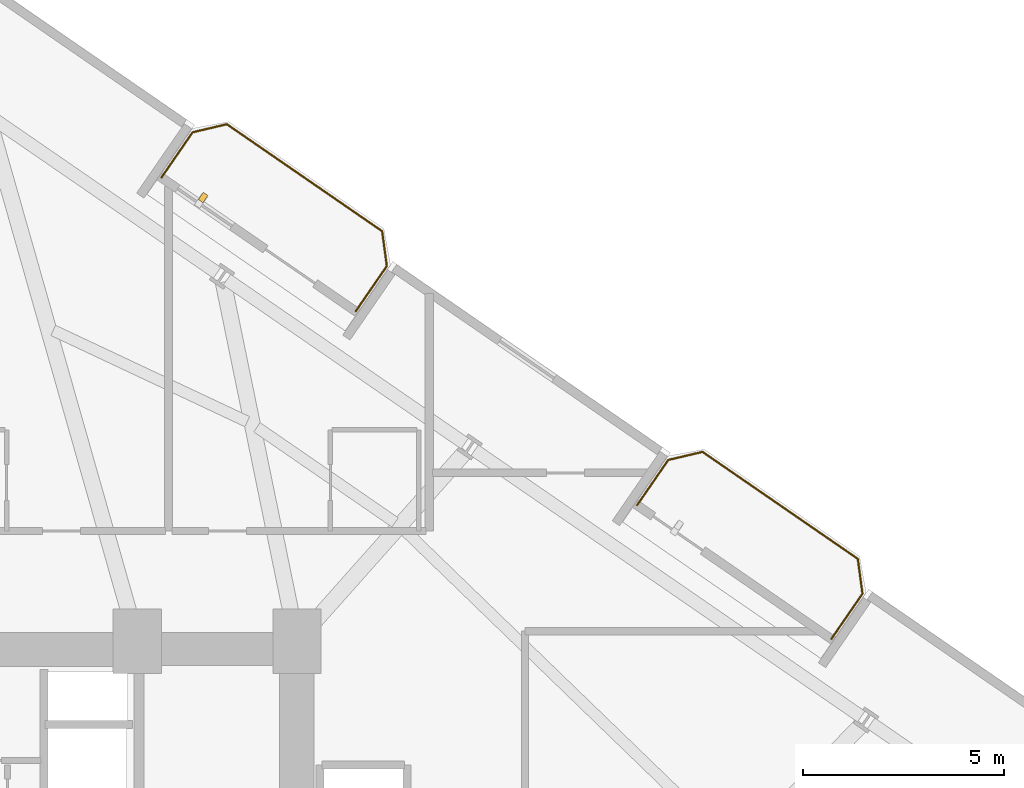
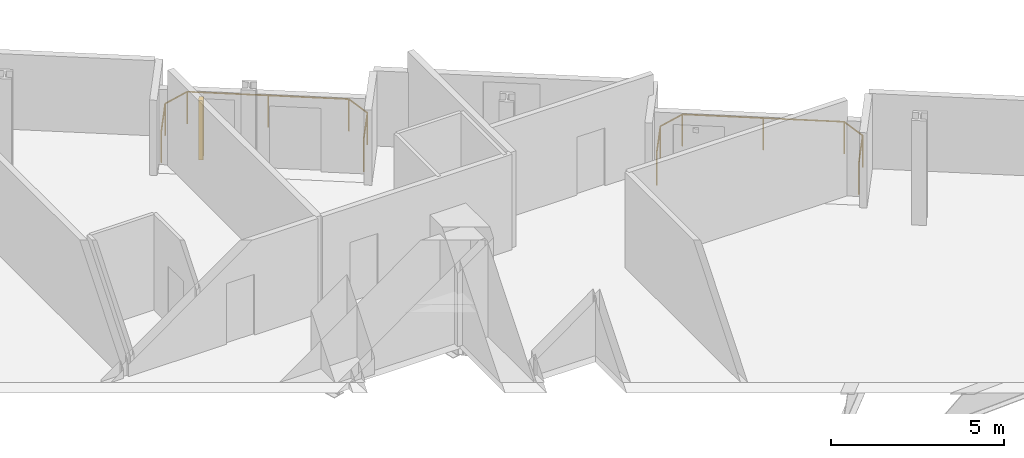
# One storey, part 24 of 24: 2 railings, 1 shading device.
"""IFC4 building model written with IfcOpenShell, lengths in metres."""

import ifcopenshell
import ifcopenshell.guid

model = None  # the IFC model being written
_history = None  # IfcOwnerHistory: only IFC2X3 demands one
_inside = {}  # id of a spatial element -> (the spatial element, [elements in it])
_under = {}  # id of a project, library or spatial element -> (it, [spatial elements below it])
_declared = {}  # id of a project -> (the project, [libraries it declares])
_typed = {}  # id of a type object -> (the type object, [elements of that type])
_made_of = {}  # id of a material, layer set ... -> (it, [elements and type objects made of it])


def new_model(schema):
    """Start an empty IFC model of exactly this schema.

    Asked for "IFC4X3", IfcOpenShell would pick the latest addendum, in which some entities
    have other attributes; the version numbers below select the first issue.
    IFC2X3 requires an IfcOwnerHistory on every rooted entity: one is made here for all.
    """
    global model, _history
    if schema == "IFC4X3":
        model = ifcopenshell.file(schema_version=(4, 3, 0, 0))
    else:
        model = ifcopenshell.file(schema=schema)
    _inside.clear()
    _under.clear()
    _declared.clear()
    _typed.clear()
    _made_of.clear()
    _history = None
    if model.schema == "IFC2X3":
        org = make("IfcOrganization", Name="unknown")
        user = make(
            "IfcPersonAndOrganization",
            ThePerson=make("IfcPerson", FamilyName="unknown"),
            TheOrganization=org,
        )
        app = make(
            "IfcApplication",
            ApplicationDeveloper=org,
            Version="unknown",
            ApplicationFullName="unknown",
            ApplicationIdentifier="unknown",
        )
        _history = make(
            "IfcOwnerHistory",
            OwningUser=user,
            OwningApplication=app,
            ChangeAction="ADDED",
            CreationDate=0,
        )
    return model


def make(cls, **values):
    """One entity of the class cls with the attributes given. An attribute that is None is left unset."""
    return model.create_entity(
        cls, **{name: value for name, value in values.items() if value is not None}
    )


def rooted(cls, **values):
    """An entity with a GlobalId (a new one), such as an element, a storey or a relation."""
    return make(cls, GlobalId=ifcopenshell.guid.new(), OwnerHistory=_history, **values)


def si_unit(unit_type, name, prefix=None):
    """IfcSIUnit, for example si_unit("LENGTHUNIT", "METRE", prefix="MILLI")."""
    return make("IfcSIUnit", UnitType=unit_type, Prefix=prefix, Name=name)


def assignment(units):
    """IfcUnitAssignment: the units of a project."""
    return None if units is None else make("IfcUnitAssignment", Units=units)


def point(xyz):
    """IfcCartesianPoint."""
    return None if xyz is None else make("IfcCartesianPoint", Coordinates=xyz)


def direction(xyz):
    """IfcDirection."""
    return None if xyz is None else make("IfcDirection", DirectionRatios=xyz)


def frame(location, z_axis=None, x_axis=None):
    """IfcAxis2Placement3D, a coordinate frame: its origin and axes. An axis left out is left unset."""
    return make(
        "IfcAxis2Placement3D",
        Location=point(location),
        Axis=direction(z_axis),
        RefDirection=direction(x_axis),
    )


def frame_2d(location, x_axis=None):
    """IfcAxis2Placement2D, a coordinate frame in the plane: its origin and x axis."""
    return make(
        "IfcAxis2Placement2D", Location=point(location), RefDirection=direction(x_axis)
    )


def origin():
    """The frame at (0, 0, 0) with its axes left unset."""
    return frame((0.0, 0.0, 0.0))


def origin_2d():
    """The frame at (0, 0) in the plane with its x axis left unset."""
    return frame_2d((0.0, 0.0))


def place(relative_to, where):
    """IfcLocalPlacement: puts the frame where relative to a parent placement (None: the world)."""
    return make(
        "IfcLocalPlacement", PlacementRelTo=relative_to, RelativePlacement=where
    )


def context(
    kind, dimensions, precision=None, world=None, true_north=None, identifier=None
):
    """IfcGeometricRepresentationContext, for example the 3D "Model" context."""
    return make(
        "IfcGeometricRepresentationContext",
        ContextIdentifier=identifier,
        ContextType=kind,
        CoordinateSpaceDimension=dimensions,
        Precision=precision,
        WorldCoordinateSystem=world,
        TrueNorth=true_north,
    )


def subcontext(parent, identifier, kind, view, scale=None):
    """IfcGeometricRepresentationSubContext, for example "Body" below "Model"."""
    return make(
        "IfcGeometricRepresentationSubContext",
        ContextIdentifier=identifier,
        ContextType=kind,
        ParentContext=parent,
        TargetScale=scale,
        TargetView=view,
    )


def project(units=None, contexts=None):
    """IfcProject with its units and contexts."""
    return rooted(
        "IfcProject",
        Name="project",
        RepresentationContexts=contexts,
        UnitsInContext=assignment(units),
    )


def spatial(cls, under=None, at=None, **own):
    """A site, building, storey or space (cls), placed at a placement, below another one or the project."""
    s = rooted(cls, ObjectPlacement=at, **own)
    if under is not None:
        _under.setdefault(under.id(), (under, []))[1].append(s)
    return s


def profile(cls, at=None, kind="AREA", **sizes):
    """A parametric profile (cls). Its sizes go by their IFC names, for example OverallWidth=200.0."""
    return make(cls, ProfileType=kind, Position=at, **sizes)


def rectangle(**sizes):
    """IfcRectangleProfileDef."""
    return profile("IfcRectangleProfileDef", **sizes)


def circle(**sizes):
    """IfcCircleProfileDef."""
    return profile("IfcCircleProfileDef", **sizes)


def extrude(swept, where, along, depth):
    """IfcExtrudedAreaSolid: the profile swept, set in the frame where, extruded along a direction by depth."""
    return make(
        "IfcExtrudedAreaSolid",
        SweptArea=swept,
        Position=where,
        ExtrudedDirection=direction(along),
        Depth=depth,
    )


def shape(context_of_items, identifier, shape_type, items):
    """IfcShapeRepresentation: the items that make up one representation, for example the "Body"."""
    return make(
        "IfcShapeRepresentation",
        ContextOfItems=context_of_items,
        RepresentationIdentifier=identifier,
        RepresentationType=shape_type,
        Items=items,
    )


def source(mapping_origin, context_of_items, identifier, shape_type, items):
    """IfcRepresentationMap: a shape defined once, which mapped items show again and again."""
    return make(
        "IfcRepresentationMap",
        MappingOrigin=mapping_origin,
        MappedRepresentation=shape(context_of_items, identifier, shape_type, items),
    )


def transform(
    local_origin,
    x_axis=None,
    y_axis=None,
    z_axis=None,
    scale=None,
    scale2=None,
    scale3=None,
    uniform=True,
):
    """IfcCartesianTransformationOperator3D, or its non-uniform kind. x_axis, y_axis, z_axis: its Axis1, 2, 3."""
    if uniform:
        return make(
            "IfcCartesianTransformationOperator3D",
            Axis1=direction(x_axis),
            Axis2=direction(y_axis),
            LocalOrigin=point(local_origin),
            Scale=scale,
            Axis3=direction(z_axis),
        )
    return make(
        "IfcCartesianTransformationOperator3DnonUniform",
        Axis1=direction(x_axis),
        Axis2=direction(y_axis),
        LocalOrigin=point(local_origin),
        Scale=scale,
        Axis3=direction(z_axis),
        Scale2=scale2,
        Scale3=scale3,
    )


def mapped(mapping_source, mapping_target):
    """IfcMappedItem: shows the shape of a source again, moved by a transform."""
    return make(
        "IfcMappedItem", MappingSource=mapping_source, MappingTarget=mapping_target
    )


def material(Name=None, Category=None):
    """IfcMaterial."""
    return make("IfcMaterial", Name=Name, Category=Category)


def made_of(thing, what):
    """Note that an element or type object is made of a material, layer set ...; save() writes the relation."""
    if what is not None:
        _made_of.setdefault(what.id(), (what, []))[1].append(thing)
    return thing


def type_object(cls, material=None, **own):
    """A type object (cls), such as IfcWallType, which elements share."""
    return made_of(rooted(cls, **own), material)


def element(
    cls,
    number,
    at=None,
    inside=None,
    cuts=None,
    type_object=None,
    material=None,
    context=None,
    identifier="Body",
    shape_type=None,
    held_by="IfcProductDefinitionShape",
    body=None,
    shapes=None,
    **own,
):
    """One element of the class cls, such as IfcWall. Its Tag is "e" and its number.

    at: its placement. inside: the storey or other place that contains it. cuts: it is an
    opening in that element (IfcRelVoidsElement). A single representation is given by context,
    identifier, shape_type and body (its items); several are given by shapes. held_by: the class
    of the entity that holds the representations. save() writes the other relations.
    """
    e = rooted(cls, Tag="e%d" % number, ObjectPlacement=at, **own)
    if body is not None:
        shapes = [shape(context, identifier, shape_type, body)]
    if shapes is not None:
        e.Representation = make(held_by, Representations=shapes)
    if inside is not None:
        _inside.setdefault(inside.id(), (inside, []))[1].append(e)
    if cuts is not None:
        rooted(
            "IfcRelVoidsElement", RelatingBuildingElement=cuts, RelatedOpeningElement=e
        )
    if type_object is not None:
        _typed.setdefault(type_object.id(), (type_object, []))[1].append(e)
    return made_of(e, material)


def aggregate(whole, parts):
    """IfcRelAggregates: a whole, such as a stair, and the parts it consists of."""
    return rooted("IfcRelAggregates", RelatingObject=whole, RelatedObjects=parts)


def save(model, path):
    """Write the relations noted so far, then the file.

    IfcRelAggregates (storeys below a building ...), IfcRelContainedInSpatialStructure (elements
    in a storey), IfcRelDefinesByType, IfcRelAssociatesMaterial and IfcRelDeclares: one each for
    every whole, place, type object, material and project.
    """
    for whole, parts in _under.values():
        aggregate(whole, parts)
    for where, things in _inside.values():
        rooted(
            "IfcRelContainedInSpatialStructure",
            RelatedElements=things,
            RelatingStructure=where,
        )
    for kind, things in _typed.values():
        rooted("IfcRelDefinesByType", RelatedObjects=things, RelatingType=kind)
    for what, things in _made_of.values():
        rooted("IfcRelAssociatesMaterial", RelatedObjects=things, RelatingMaterial=what)
    for by, libraries in _declared.values():
        rooted("IfcRelDeclares", RelatingContext=by, RelatedDefinitions=libraries)
    model.write(path)


model = new_model("IFC4")

# Units and contexts
model_context = context("Model", 3, precision=1e-05, world=origin(), true_north=direction((0.0, 1.0)))
body_context = subcontext(model_context, "Body", "Model", "MODEL_VIEW")
ifc_project = project(units=[si_unit("LENGTHUNIT", "METRE"), si_unit("AREAUNIT", "SQUARE_METRE"), si_unit("VOLUMEUNIT", "CUBIC_METRE"), si_unit("PLANEANGLEUNIT", "RADIAN"), si_unit("MASSUNIT", "GRAM", prefix="KILO")], contexts=[model_context])

# Site, building, storey
site_placement = place(None, origin())
site = spatial("IfcSite", under=ifc_project, at=site_placement, CompositionType="ELEMENT")
building_placement = place(site_placement, origin())
building = spatial("IfcBuilding", under=site, at=building_placement, Name="Varnelok Gate Tower", CompositionType="ELEMENT")
storey_placement = place(building_placement, frame((0.0, 0.0, 67.699951171875)))
storey = spatial("IfcBuildingStorey", under=building, at=storey_placement, Name="L16", CompositionType="ELEMENT", Elevation=67.699951171875)

# Railings
ifc_material_1 = material(Name="Low-E Laminated Double Glazing IGU", Category="glass")
railing_type = type_object("IfcRailingType", Name="RL-BALC-1150", PredefinedType="BALUSTRADE", material=ifc_material_1)
railing_1_placement = place(storey_placement, frame((44.322021484375, 50.611083984375, 0.0)))
element("IfcRailing", 1, at=railing_1_placement, inside=storey, type_object=railing_type, Name="L16 North Terrace Balustrade 3", PredefinedType="BALUSTRADE", context=body_context, shape_type="SweptSolid", body=[
    extrude(circle(Radius=0.02392578125, at=origin_2d()), frame((0.0, 0.0, 1.1259765625), z_axis=(0.567262263046, 0.823537203121, 0.0), x_axis=(-0.823537203121, 0.567262263046, 0.0)), (0.0, 0.0, 1.0), 1.369873046875),
    extrude(circle(Radius=0.02392578125, at=origin_2d()), frame((0.777099609375, 1.128173828125, 1.1259765625), z_axis=(0.973526462254, 0.228574336467, 0.0), x_axis=(-0.228574336467, 0.973526462254, 0.0)), (0.0, 0.0, 1.0), 0.8779296875),
    extrude(circle(Radius=0.02392578125, at=origin_2d()), frame((1.6318359375, 1.328857421875, 1.1259765625), z_axis=(0.823523239622, -0.567282534371, 0.0), x_axis=(0.567282534371, 0.823523239622, 0.0)), (0.0, 0.0, 1.0), 4.699951171875),
    extrude(circle(Radius=0.02392578125, at=origin_2d()), frame((5.50244140625, -1.33740234375, 1.1259765625), z_axis=(0.133238627421, -0.991083986433, 0.0), x_axis=(0.991083986433, 0.133238627421, 0.0)), (0.0, 0.0, 1.0), 0.877685546875),
    extrude(circle(Radius=0.02392578125, at=origin_2d()), frame((5.619384765625, -2.207275390625, 1.1259765625), z_axis=(-0.56717901659, -0.823594538071, 0.0), x_axis=(0.823594538071, -0.56717901659, 0.0)), (0.0, 0.0, 1.0), 1.3701171875),
    extrude(circle(Radius=0.02099609375, at=origin_2d()), origin(), (0.0, 0.0, 1.0), 1.101806640625),
    extrude(circle(Radius=0.02099609375, at=origin_2d()), frame((0.777099609375, 1.128173828125, 0.0)), (0.0, 0.0, 1.0), 1.101806640625),
    extrude(circle(Radius=0.02099609375, at=origin_2d()), frame((1.6318359375, 1.328857421875, 0.0)), (0.0, 0.0, 1.0), 1.101806640625),
    extrude(circle(Radius=0.02099609375, at=origin_2d()), frame((3.567138671875, -0.00439453125, 0.0)), (0.0, 0.0, 1.0), 1.101806640625),
    extrude(circle(Radius=0.02099609375, at=origin_2d()), frame((5.50244140625, -1.33740234375, 0.0)), (0.0, 0.0, 1.0), 1.101806640625),
    extrude(circle(Radius=0.02099609375, at=origin_2d()), frame((5.619384765625, -2.207275390625, 0.0)), (0.0, 0.0, 1.0), 1.101806640625),
    extrude(circle(Radius=0.02099609375, at=origin_2d()), frame((4.84228515625, -3.335693359375, 0.0)), (0.0, 0.0, 1.0), 1.101806640625),
])
railing_2_placement = place(storey_placement, frame((56.180908203125, 42.4423828125, 0.0)))
element("IfcRailing", 2, at=railing_2_placement, inside=storey, type_object=railing_type, Name="L16 North Terrace Balustrade 4", PredefinedType="BALUSTRADE", context=body_context, shape_type="SweptSolid", body=[
    extrude(circle(Radius=0.02392578125, at=origin_2d()), frame((0.0, 0.0, 1.1259765625), z_axis=(0.567262263046, 0.823537203121, 0.0), x_axis=(-0.823537203121, 0.567262263046, 0.0)), (0.0, 0.0, 1.0), 1.369873046875),
    extrude(circle(Radius=0.02392578125, at=origin_2d()), frame((0.777099609375, 1.128173828125, 1.1259765625), z_axis=(0.973526462254, 0.228574336467, 0.0), x_axis=(-0.228574336467, 0.973526462254, 0.0)), (0.0, 0.0, 1.0), 0.8779296875),
    extrude(circle(Radius=0.02392578125, at=origin_2d()), frame((1.6318359375, 1.328857421875, 1.1259765625), z_axis=(0.823523239622, -0.567282534371, 0.0), x_axis=(0.567282534371, 0.823523239622, 0.0)), (0.0, 0.0, 1.0), 4.699951171875),
    extrude(circle(Radius=0.02392578125, at=origin_2d()), frame((5.50244140625, -1.33740234375, 1.1259765625), z_axis=(0.133238627421, -0.991083986433, 0.0), x_axis=(0.991083986433, 0.133238627421, 0.0)), (0.0, 0.0, 1.0), 0.877685546875),
    extrude(circle(Radius=0.02392578125, at=origin_2d()), frame((5.619384765625, -2.207275390625, 1.1259765625), z_axis=(-0.56717901659, -0.823594538071, 0.0), x_axis=(0.823594538071, -0.56717901659, 0.0)), (0.0, 0.0, 1.0), 1.3701171875),
    extrude(circle(Radius=0.02099609375, at=origin_2d()), origin(), (0.0, 0.0, 1.0), 1.101806640625),
    extrude(circle(Radius=0.02099609375, at=origin_2d()), frame((0.777099609375, 1.128173828125, 0.0)), (0.0, 0.0, 1.0), 1.101806640625),
    extrude(circle(Radius=0.02099609375, at=origin_2d()), frame((1.6318359375, 1.328857421875, 0.0)), (0.0, 0.0, 1.0), 1.101806640625),
    extrude(circle(Radius=0.02099609375, at=origin_2d()), frame((3.567138671875, -0.00439453125, 0.0)), (0.0, 0.0, 1.0), 1.101806640625),
    extrude(circle(Radius=0.02099609375, at=origin_2d()), frame((5.50244140625, -1.33740234375, 0.0)), (0.0, 0.0, 1.0), 1.101806640625),
    extrude(circle(Radius=0.02099609375, at=origin_2d()), frame((5.619384765625, -2.207275390625, 0.0)), (0.0, 0.0, 1.0), 1.101806640625),
    extrude(circle(Radius=0.02099609375, at=origin_2d()), frame((4.84228515625, -3.335693359375, 0.0)), (0.0, 0.0, 1.0), 1.101806640625),
])

# Shading device
ifc_material_2 = material(Name="Glazed Architectural Terracotta Ceramic", Category="masonry")
shading_device_type = type_object("IfcShadingDeviceType", Name="SHD-TERRA-BAGUETTE", PredefinedType="USERDEFINED", material=ifc_material_2)
shared_shape = source(origin(), body_context, "Body", "SweptSolid", [
    extrude(rectangle(XDim=0.139892578125, YDim=0.219970703125, at=origin_2d()), origin(), (0.0, 0.0, 1.0), 2.10009765625),
])
shading_device_placement = place(storey_placement, frame((45.363037109375, 50.112548828125, 0.10009765625), z_axis=(0.0, 0.0, 1.0), x_axis=(0.823532597628, -0.567268949127, 0.0)))
element("IfcShadingDevice", 3, at=shading_device_placement, inside=storey, type_object=shading_device_type, Name="L16 Terracotta Ceramic Baguette Sunscreen 3.1", ObjectType="BAGUETTE", PredefinedType="USERDEFINED", context=body_context, shape_type="MappedRepresentation", body=[
    mapped(shared_shape, transform((0.0, 0.0, 0.0), scale=1.0)),
])

save(model, "model.ifc")
